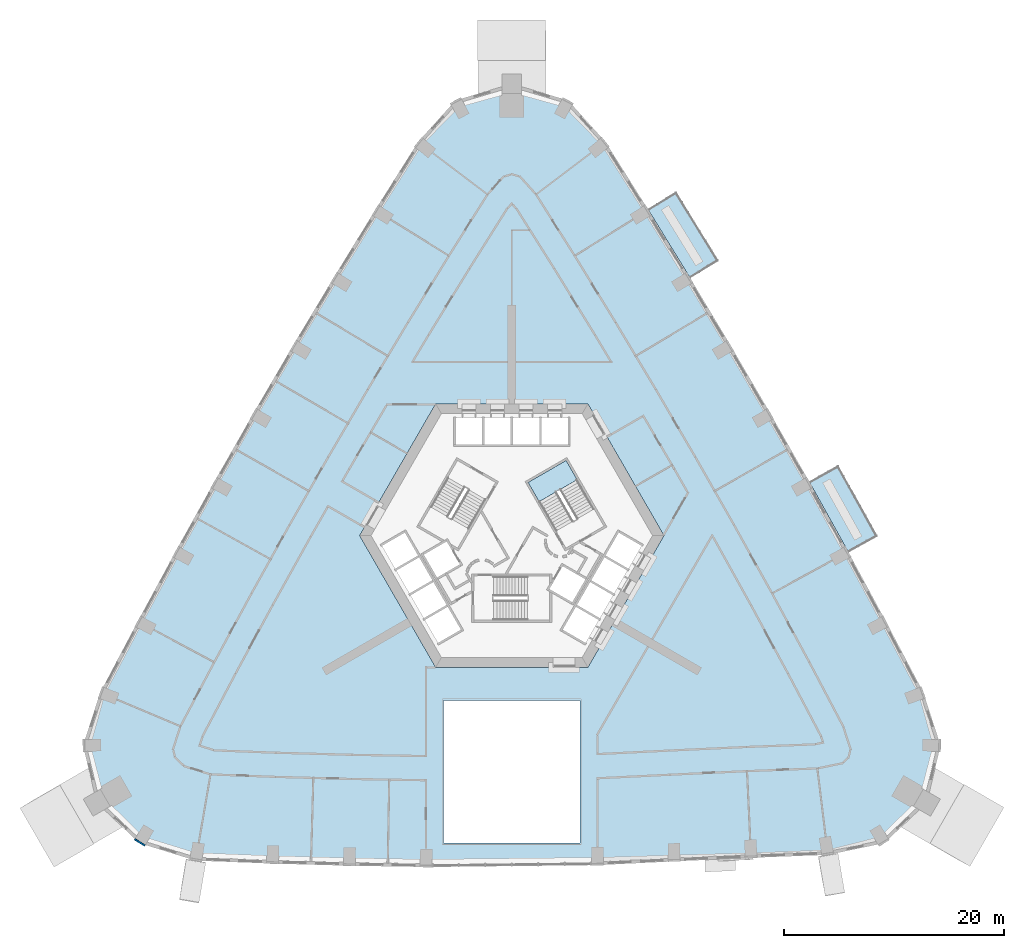
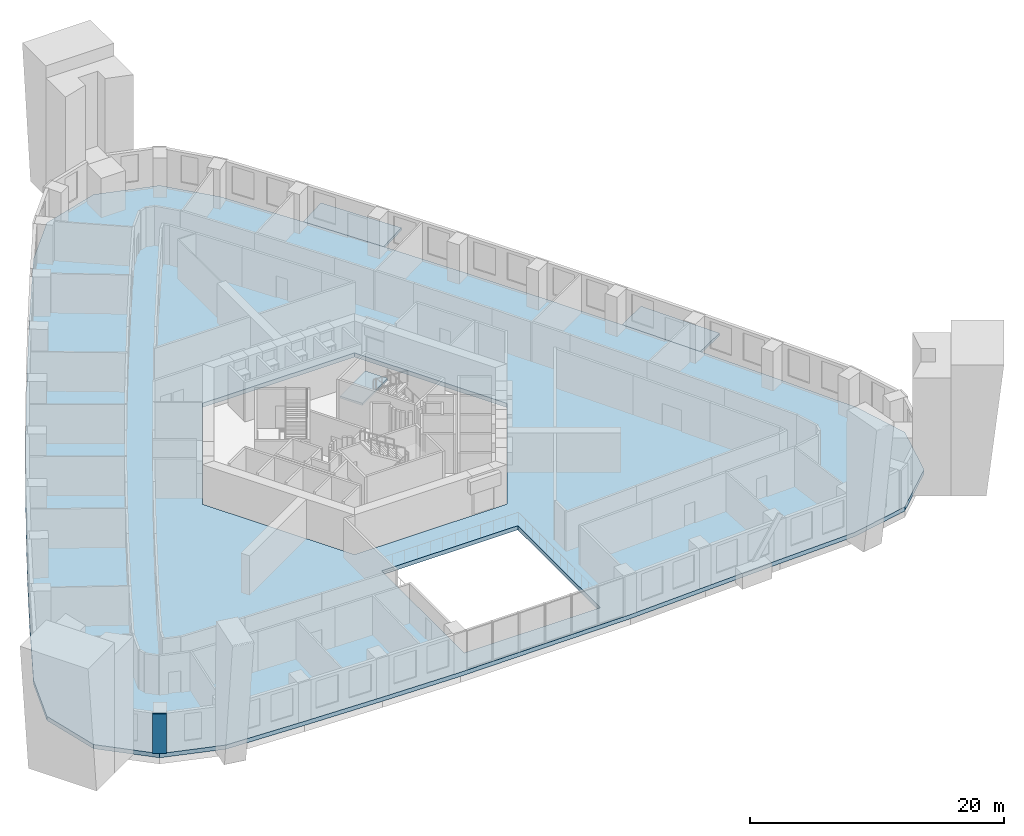
# One storey, part 3 of 15: 4 slabs, 1 wall, 1 element without a shape of its own.
"""IFC4 building model written with IfcOpenShell, lengths in metres."""

from ifc_helpers import new_model, si_unit, direction, frame, frame_2d, origin, place, context, subcontext, project, spatial, polyline, rectangle, outline, extrude, material, layer, layer_set, type_object, element, aggregate, save


model = new_model("IFC4")

# Units and contexts
model_context = context("Model", 3, precision=1e-05, world=origin(), true_north=direction((0.0, 1.0)))
body_context = subcontext(model_context, "Body", "Model", "MODEL_VIEW")
ifc_project = project(units=[si_unit("LENGTHUNIT", "METRE"), si_unit("AREAUNIT", "SQUARE_METRE"), si_unit("VOLUMEUNIT", "CUBIC_METRE"), si_unit("PLANEANGLEUNIT", "RADIAN"), si_unit("MASSUNIT", "GRAM", prefix="KILO")], contexts=[model_context])

# Site, building, storey
site_placement = place(None, origin())
site = spatial("IfcSite", under=ifc_project, at=site_placement, CompositionType="ELEMENT")
building_placement = place(site_placement, origin())
building = spatial("IfcBuilding", under=site, at=building_placement, Name="Entoto Arch Interchange Tower", CompositionType="ELEMENT")
storey_placement = place(building_placement, frame((0.0, 0.0, 111.800048828125)))
storey = spatial("IfcBuildingStorey", under=building, at=storey_placement, Name="L24", CompositionType="ELEMENT", Elevation=111.800048828125)

# Slabs
ifc_material_1 = material(Name="Board-marked precast concrete C50/60", Category="concrete")
ifc_layer_1 = layer(ifc_material_1, 0.25)
ifc_layer_set_1 = layer_set([ifc_layer_1], Name="Board-marked precast concrete C50/60")
slab_type_1 = type_object("IfcSlabType", Name="BALCONY DECK PRECAST 250", PredefinedType="FLOOR", material=ifc_layer_set_1)
slab_1_placement = place(storey_placement, frame((0.0, 0.0, -0.25)))
element("IfcSlab", 1, at=slab_1_placement, inside=storey, type_object=slab_type_1, Name="Planted balcony NE-03 L24", PredefinedType="FLOOR", context=body_context, shape_type="SweptSolid", body=[
    extrude(outline(polyline([(30.6279296875, 1.035888671875), (27.1259765625, 7.3369140625), (29.705078125, 8.77001953125), (33.20703125, 2.468994140625), (30.6279296875, 1.035888671875)])), origin(), (0.0, 0.0, 1.0), 0.25),
])
slab_2_placement = place(storey_placement, frame((0.0, 0.0, -0.25)))
element("IfcSlab", 2, at=slab_2_placement, inside=storey, type_object=slab_type_1, Name="Planted balcony NE-07 L24", PredefinedType="FLOOR", context=body_context, shape_type="SweptSolid", body=[
    extrude(outline(polyline([(16.2109375, 26.007080078125), (12.43798828125, 32.14990234375), (14.951904296875, 33.694091796875), (18.72509765625, 27.551025390625), (16.2109375, 26.007080078125)])), origin(), (0.0, 0.0, 1.0), 0.25),
])

# Stair, slab
ifc_material_2 = material(Name="Concrete C40/50", Category="concrete")
stair_type = type_object("IfcStairType", Name="EXIT STAIR RC 1800", PredefinedType="HALF_TURN_STAIR", material=ifc_material_2)
stair_placement = place(storey_placement, origin())
stair = element("IfcStair", 3, at=stair_placement, inside=storey, type_object=stair_type, Name="L24 Exit stair NE", PredefinedType="HALF_TURN_STAIR")
ifc_layer_2 = layer(ifc_material_2, 0.199951171875)
ifc_layer_set_2 = layer_set([ifc_layer_2], Name="Concrete C40/50")
slab_type_2 = type_object("IfcSlabType", Name="EXIT STAIR LANDING RC 200", PredefinedType="LANDING", material=ifc_layer_set_2)
slab_3_placement = place(storey_placement, frame((0.0, 0.0, 1.89990234375)))
slab_3 = element("IfcSlab", 4, at=slab_3_placement, type_object=slab_type_2, Name="ST-NE landing 1", PredefinedType="LANDING", context=body_context, shape_type="SweptSolid", body=[
    extrude(outline(polyline([(5.953369140625, 7.58837890625), (4.943359375, 9.337890625), (1.479248046875, 7.337890625), (2.4892578125, 5.58837890625), (5.953369140625, 7.58837890625)])), origin(), (0.0, 0.0, 1.0), 0.199951171875),
])
aggregate(stair, [slab_3])

# Slab
ifc_layer_3 = layer(ifc_material_2, 0.39990234375)
ifc_layer_set_3 = layer_set([ifc_layer_3], Name="Concrete C40/50")
slab_type_3 = type_object("IfcSlabType", Name="Post-tensioned flat plate 400 C40/50", PredefinedType="FLOOR", material=ifc_layer_set_3)
slab_4_placement = place(storey_placement, frame((0.0, 0.0, -0.400146484375)))
element("IfcSlab", 5, at=slab_4_placement, inside=storey, type_object=slab_type_3, Name="Floor slab L24", PredefinedType="FLOOR", context=body_context, shape_type="SweptSolid", body=[
    extrude(outline(polyline([(-28.783935546875, -27.10107421875), (-21.7890625, -27.368896484375), (-14.794921875, -27.56201171875), (-7.800048828125, -27.681884765625), (7.800048828125, -27.510009765625), (14.794921875, -27.1669921875), (21.7890625, -26.841064453125), (28.783935546875, -26.572998046875), (33.9150390625, -25.506103515625), (37.801025390625, -21.824951171875), (39.047119140625, -16.617919921875), (37.47900390625, -11.782958984375), (34.06103515625, -5.303955078125), (30.6279296875, 1.035888671875), (27.1259765625, 7.3369140625), (23.555908203125, 13.60009765625), (19.9169921875, 19.822998046875), (16.2109375, 26.007080078125), (12.43798828125, 32.14990234375), (8.534912109375, 38.34912109375), (5.132080078125, 42.1240234375), (0.0, 43.64892578125), (-5.132080078125, 42.1240234375), (-8.534912109375, 38.34912109375), (-12.43798828125, 32.14990234375), (-16.2109375, 26.007080078125), (-19.9169921875, 19.822998046875), (-23.555908203125, 13.60009765625), (-27.1259765625, 7.3369140625), (-30.6279296875, 1.035888671875), (-34.06103515625, -5.303955078125), (-37.47900390625, -11.782958984375), (-39.047119140625, -16.617919921875), (-37.801025390625, -21.824951171875), (-33.9150390625, -25.506103515625), (-28.783935546875, -27.10107421875)]), holes=[polyline([(6.199951171875, -25.510009765625), (6.199951171875, -12.5), (-6.199951171875, -12.5), (-6.199951171875, -25.510009765625), (6.199951171875, -25.510009765625)]), polyline([(13.85595703125, 2.5), (6.927978515625, 14.5), (-6.927978515625, 14.5), (-13.85595703125, 2.5), (-6.927978515625, -9.5), (6.927978515625, -9.5), (13.85595703125, 2.5)])]), origin(), (0.0, 0.0, 1.0), 0.400146484375),
])

# Wall
ifc_material_3 = material(Name="Welded tuff (ignimbrite) cladding, warm buff", Category="masonry")
ifc_layer_4 = layer(ifc_material_3, 0.14990234375)
ifc_layer_set_4 = layer_set([ifc_layer_4], Name="Welded tuff (ignimbrite) cladding, warm buff")
wall_type = type_object("IfcWallType", Name="STONE PIER CLADDING 150", PredefinedType="STANDARD", material=ifc_layer_set_4)
wall_placement = place(storey_placement, frame((-34.345947265625, -25.156005859375, 0.0), z_axis=(0.0, 0.0, 1.0), x_axis=(0.854245682901, -0.519869515594, 0.0)))
element("IfcWall", 6, at=wall_placement, inside=storey, type_object=wall_type, Name="Stone pier SW3 L24", PredefinedType="STANDARD", context=body_context, shape_type="SweptSolid", body=[
    extrude(rectangle(XDim=1.100341796875, YDim=0.14990234375, at=frame_2d((0.55029296875, 0.0))), origin(), (0.0, 0.0, 1.0), 3.800048828125),
])

save(model, "model.ifc")
